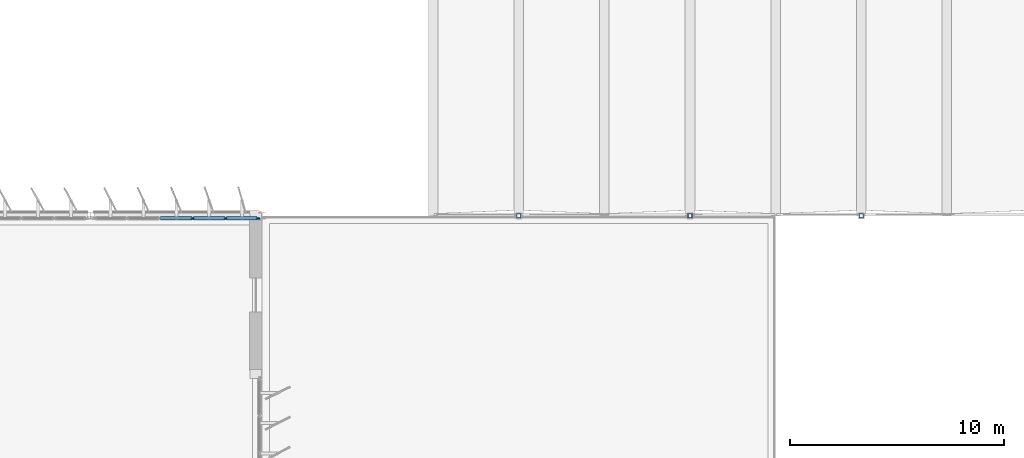
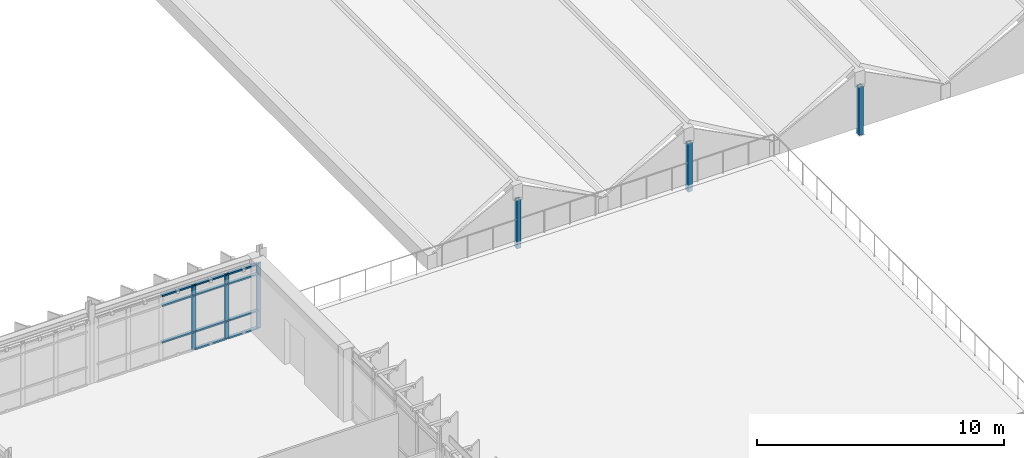
# One storey, part 14 of 35: 17 members, 1 element without a shape of its own.
"""IFC4 building model written with IfcOpenShell, lengths in metres."""

from ifc_helpers import new_model, si_unit, direction, frame, origin, origin_2d, place, context, subcontext, project, spatial, rectangle, hollow_rectangle, extrude, material, layer, layer_set, material_profile, profile_set, type_object, element, aggregate, save


model = new_model("IFC4")

# Units and contexts
model_context = context("Model", 3, precision=1e-05, world=origin(), true_north=direction((0.0, 1.0)))
body_context = subcontext(model_context, "Body", "Model", "MODEL_VIEW")
ifc_project = project(units=[si_unit("LENGTHUNIT", "METRE"), si_unit("AREAUNIT", "SQUARE_METRE"), si_unit("VOLUMEUNIT", "CUBIC_METRE"), si_unit("PLANEANGLEUNIT", "RADIAN"), si_unit("MASSUNIT", "GRAM", prefix="KILO")], contexts=[model_context])

# Site, building, storey
site_placement = place(None, origin())
site = spatial("IfcSite", under=ifc_project, at=site_placement, CompositionType="ELEMENT")
building_placement = place(site_placement, origin())
building = spatial("IfcBuilding", under=site, at=building_placement, Name="Valkorina Park Police Headquarters", CompositionType="ELEMENT")
storey_placement = place(building_placement, frame((0.0, 0.0, 27.199951171875)))
storey = spatial("IfcBuildingStorey", under=building, at=storey_placement, Name="L07", CompositionType="ELEMENT", Elevation=27.199951171875)

# Curtain wall, members
ifc_material_1 = material(Name="Thermally broken aluminium AW-6060", Category="aluminium")
ifc_layer = layer(ifc_material_1, 0.18994140625)
ifc_layer_set = layer_set([ifc_layer], Name="Thermally broken aluminium AW-6060")
curtain_wall_type = type_object("IfcCurtainWallType", Name="CW-V5-7680x3230", PredefinedType="NOTDEFINED", material=ifc_layer_set)
curtain_wall_placement = place(storey_placement, origin())
curtain_wall = element("IfcCurtainWall", 1, at=curtain_wall_placement, inside=storey, type_object=curtain_wall_type, Name="L07 Unitised Curtain Wall 153", PredefinedType="NOTDEFINED")
ifc_material_profile_1 = material_profile(ifc_material_1, rectangle(XDim=0.070068359375, YDim=0.18994140625, at=origin_2d()), Name="CWM-02 70x190")
ifc_profile_set_1 = profile_set([ifc_material_profile_1], Name="Thermally broken aluminium AW-6060")
member_type_1 = type_object("IfcMemberType", Name="CWM-70x190", PredefinedType="MULLION", material=ifc_profile_set_1)
member_1_placement = place(storey_placement, frame((69.568115234375, 59.080078125, 0.0), z_axis=(0.0, 0.0, 1.0), x_axis=(0.0, 1.0, 0.0)))
member_1 = element("IfcMember", 2, at=member_1_placement, type_object=member_type_1, Name="CW-V5-768-323 mullion 4", PredefinedType="MULLION", context=body_context, shape_type="SweptSolid", body=[
    extrude(rectangle(XDim=0.070068359375, YDim=0.18994140625, at=origin_2d()), origin(), (0.0, 0.0, 1.0), 3.22998046875),
])
member_2_placement = place(storey_placement, frame((71.10400390625, 59.080078125, 0.0), z_axis=(0.0, 0.0, 1.0), x_axis=(0.0, 1.0, 0.0)))
member_2 = element("IfcMember", 3, at=member_2_placement, type_object=member_type_1, Name="CW-V5-768-323 mullion 5", PredefinedType="MULLION", context=body_context, shape_type="SweptSolid", body=[
    extrude(rectangle(XDim=0.070068359375, YDim=0.18994140625, at=origin_2d()), origin(), (0.0, 0.0, 1.0), 3.22998046875),
])
member_3_placement = place(storey_placement, frame((72.60498046875, 59.080078125, 0.0), z_axis=(0.0, 0.0, 1.0), x_axis=(0.0, 1.0, 0.0)))
member_3 = element("IfcMember", 4, at=member_3_placement, type_object=member_type_1, Name="CW-V5-768-323 mullion 6", PredefinedType="MULLION", context=body_context, shape_type="SweptSolid", body=[
    extrude(rectangle(XDim=0.070068359375, YDim=0.18994140625, at=origin_2d()), origin(), (0.0, 0.0, 1.0), 3.22998046875),
])
ifc_material_profile_2 = material_profile(ifc_material_1, rectangle(XDim=0.14990234375, YDim=0.070068359375, at=origin_2d()), Name="CWT-02 150x70")
ifc_profile_set_2 = profile_set([ifc_material_profile_2], Name="Thermally broken aluminium AW-6060")
member_type_2 = type_object("IfcMemberType", Name="CWT-150x70", PredefinedType="USERDEFINED", material=ifc_profile_set_2)
member_4_placement = place(storey_placement, frame((68.06689453125, 59.080078125, 0.900146484375), z_axis=(1.0, 0.0, 0.0), x_axis=(0.0, 1.0, 0.0)))
member_4 = element("IfcMember", 5, at=member_4_placement, type_object=member_type_2, Name="CW-V5-768-323 transom 3.2", ObjectType="TRANSOM", PredefinedType="USERDEFINED", context=body_context, shape_type="SweptSolid", body=[
    extrude(rectangle(XDim=0.14990234375, YDim=0.070068359375, at=origin_2d()), origin(), (0.0, 0.0, 1.0), 1.466064453125),
])
member_5_placement = place(storey_placement, frame((68.06689453125, 59.080078125, 2.7099609375), z_axis=(1.0, 0.0, 0.0), x_axis=(0.0, 1.0, 0.0)))
member_5 = element("IfcMember", 6, at=member_5_placement, type_object=member_type_2, Name="CW-V5-768-323 transom 3.3", ObjectType="TRANSOM", PredefinedType="USERDEFINED", context=body_context, shape_type="SweptSolid", body=[
    extrude(rectangle(XDim=0.14990234375, YDim=0.070068359375, at=origin_2d()), origin(), (0.0, 0.0, 1.0), 1.466064453125),
])
member_6_placement = place(storey_placement, frame((68.06689453125, 59.080078125, 3.195068359375), z_axis=(1.0, 0.0, 0.0), x_axis=(0.0, 1.0, 0.0)))
member_6 = element("IfcMember", 7, at=member_6_placement, type_object=member_type_2, Name="CW-V5-768-323 transom 3.4", ObjectType="TRANSOM", PredefinedType="USERDEFINED", context=body_context, shape_type="SweptSolid", body=[
    extrude(rectangle(XDim=0.14990234375, YDim=0.070068359375, at=origin_2d()), origin(), (0.0, 0.0, 1.0), 1.466064453125),
])
member_7_placement = place(storey_placement, frame((69.60302734375, 59.080078125, 0.03515625), z_axis=(1.0, 0.0, 0.0), x_axis=(0.0, 1.0, 0.0)))
member_7 = element("IfcMember", 8, at=member_7_placement, type_object=member_type_2, Name="CW-V5-768-323 transom 4.1", ObjectType="TRANSOM", PredefinedType="USERDEFINED", context=body_context, shape_type="SweptSolid", body=[
    extrude(rectangle(XDim=0.14990234375, YDim=0.070068359375, at=origin_2d()), origin(), (0.0, 0.0, 1.0), 1.466064453125),
])
member_8_placement = place(storey_placement, frame((69.60302734375, 59.080078125, 0.900146484375), z_axis=(1.0, 0.0, 0.0), x_axis=(0.0, 1.0, 0.0)))
member_8 = element("IfcMember", 9, at=member_8_placement, type_object=member_type_2, Name="CW-V5-768-323 transom 4.2", ObjectType="TRANSOM", PredefinedType="USERDEFINED", context=body_context, shape_type="SweptSolid", body=[
    extrude(rectangle(XDim=0.14990234375, YDim=0.070068359375, at=origin_2d()), origin(), (0.0, 0.0, 1.0), 1.466064453125),
])
member_9_placement = place(storey_placement, frame((69.60302734375, 59.080078125, 2.7099609375), z_axis=(1.0, 0.0, 0.0), x_axis=(0.0, 1.0, 0.0)))
member_9 = element("IfcMember", 10, at=member_9_placement, type_object=member_type_2, Name="CW-V5-768-323 transom 4.3", ObjectType="TRANSOM", PredefinedType="USERDEFINED", context=body_context, shape_type="SweptSolid", body=[
    extrude(rectangle(XDim=0.14990234375, YDim=0.070068359375, at=origin_2d()), origin(), (0.0, 0.0, 1.0), 1.466064453125),
])
member_10_placement = place(storey_placement, frame((69.60302734375, 59.080078125, 3.195068359375), z_axis=(1.0, 0.0, 0.0), x_axis=(0.0, 1.0, 0.0)))
member_10 = element("IfcMember", 11, at=member_10_placement, type_object=member_type_2, Name="CW-V5-768-323 transom 4.4", ObjectType="TRANSOM", PredefinedType="USERDEFINED", context=body_context, shape_type="SweptSolid", body=[
    extrude(rectangle(XDim=0.14990234375, YDim=0.070068359375, at=origin_2d()), origin(), (0.0, 0.0, 1.0), 1.466064453125),
])
member_11_placement = place(storey_placement, frame((71.138916015625, 59.080078125, 0.03515625), z_axis=(1.0, 0.0, 0.0), x_axis=(0.0, 1.0, 0.0)))
member_11 = element("IfcMember", 12, at=member_11_placement, type_object=member_type_2, Name="CW-V5-768-323 transom 5.1", ObjectType="TRANSOM", PredefinedType="USERDEFINED", context=body_context, shape_type="SweptSolid", body=[
    extrude(rectangle(XDim=0.14990234375, YDim=0.070068359375, at=origin_2d()), origin(), (0.0, 0.0, 1.0), 1.43115234375),
])
member_12_placement = place(storey_placement, frame((71.138916015625, 59.080078125, 0.900146484375), z_axis=(1.0, 0.0, 0.0), x_axis=(0.0, 1.0, 0.0)))
member_12 = element("IfcMember", 13, at=member_12_placement, type_object=member_type_2, Name="CW-V5-768-323 transom 5.2", ObjectType="TRANSOM", PredefinedType="USERDEFINED", context=body_context, shape_type="SweptSolid", body=[
    extrude(rectangle(XDim=0.14990234375, YDim=0.070068359375, at=origin_2d()), origin(), (0.0, 0.0, 1.0), 1.43115234375),
])
member_13_placement = place(storey_placement, frame((71.138916015625, 59.080078125, 2.7099609375), z_axis=(1.0, 0.0, 0.0), x_axis=(0.0, 1.0, 0.0)))
member_13 = element("IfcMember", 14, at=member_13_placement, type_object=member_type_2, Name="CW-V5-768-323 transom 5.3", ObjectType="TRANSOM", PredefinedType="USERDEFINED", context=body_context, shape_type="SweptSolid", body=[
    extrude(rectangle(XDim=0.14990234375, YDim=0.070068359375, at=origin_2d()), origin(), (0.0, 0.0, 1.0), 1.43115234375),
])
member_14_placement = place(storey_placement, frame((71.138916015625, 59.080078125, 3.195068359375), z_axis=(1.0, 0.0, 0.0), x_axis=(0.0, 1.0, 0.0)))
member_14 = element("IfcMember", 15, at=member_14_placement, type_object=member_type_2, Name="CW-V5-768-323 transom 5.4", ObjectType="TRANSOM", PredefinedType="USERDEFINED", context=body_context, shape_type="SweptSolid", body=[
    extrude(rectangle(XDim=0.14990234375, YDim=0.070068359375, at=origin_2d()), origin(), (0.0, 0.0, 1.0), 1.43115234375),
])
aggregate(curtain_wall, [member_1, member_2, member_3, member_4, member_5, member_6, member_7, member_8, member_9, member_10, member_11, member_12, member_13, member_14])

# Members
ifc_material_2 = material(Name="Steel S355", Category="steel")
ifc_material_profile_3 = material_profile(ifc_material_2, hollow_rectangle(XDim=0.199951171875, YDim=0.199951171875, WallThickness=0.012451171875, at=origin_2d()), Name="SHS 200x200x12.5")
ifc_profile_set_3 = profile_set([ifc_material_profile_3], Name="Steel S355")
member_type_3 = type_object("IfcMemberType", Name="MB-S355-SHS200-GABLE", PredefinedType="BRACE", material=ifc_profile_set_3)
for number, where, z_axis, x_axis, name in (
    (16, (84.800048828125, 59.199951171875, -0.349853515625), (0.0, 0.0, 1.0), (1.0, 0.0, 0.0), "V2 Gable Ridge Strut 1S"),
    (17, (92.800048828125, 59.199951171875, -0.349853515625), (0.0, 0.0, 1.0), (1.0, 0.0, 0.0), "V2 Gable Ridge Strut 2S"),
    (18, (100.800048828125, 59.199951171875, -0.349853515625), (0.0, 0.0, 1.0), (1.0, 0.0, 0.0), "V2 Gable Ridge Strut 3S"),
):
    element("IfcMember", number, at=place(storey_placement, frame(where, z_axis=z_axis, x_axis=x_axis)), inside=storey, type_object=member_type_3, Name=name, PredefinedType="BRACE", context=body_context, shape_type="SweptSolid", body=[
        extrude(hollow_rectangle(XDim=0.199951171875, YDim=0.199951171875, WallThickness=0.012451171875, at=origin_2d()), origin(), (0.0, 0.0, 1.0), 2.413818359375),
    ])

save(model, "model.ifc")
